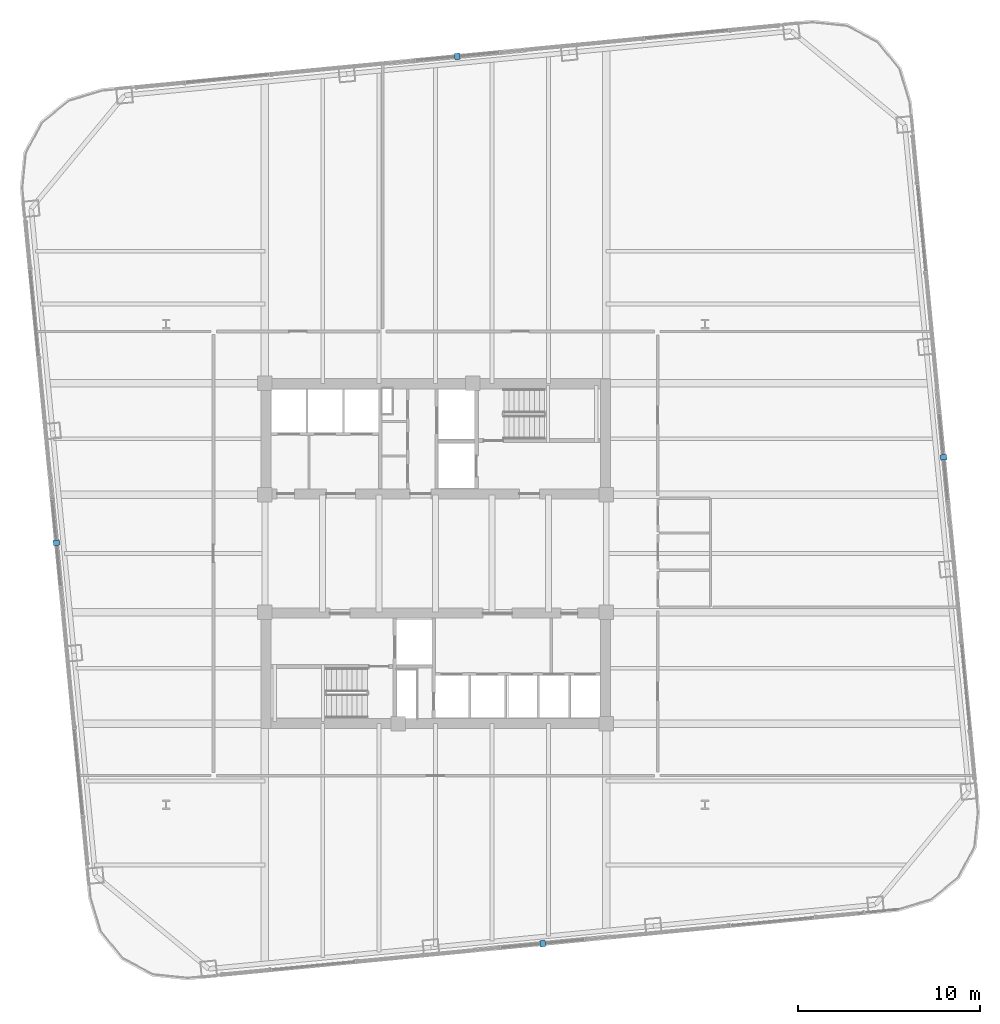
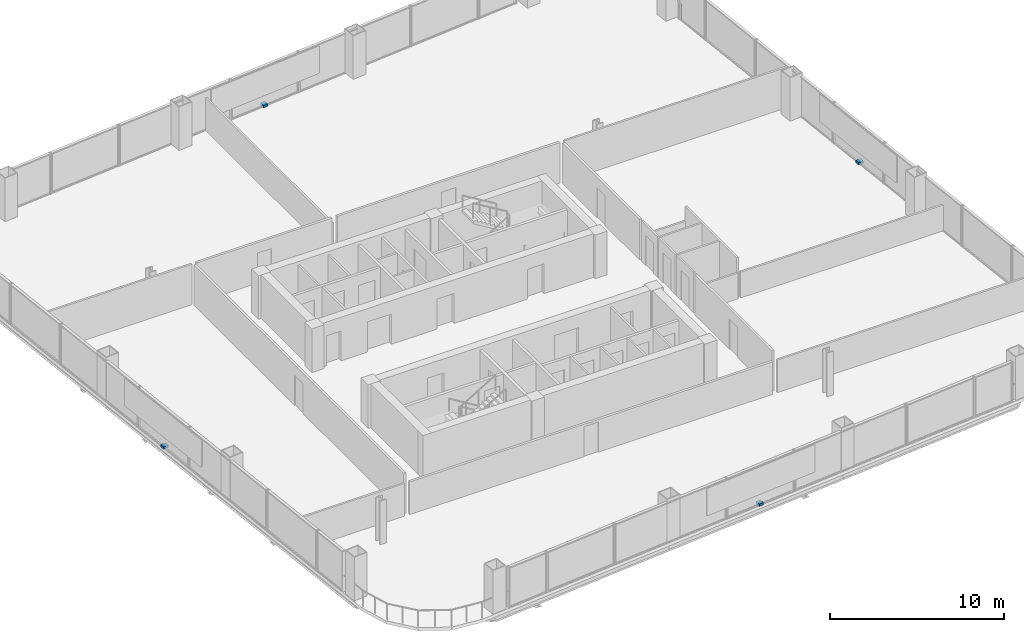
# One storey, part 24 of 27: 4 discrete accessories.
"""IFC4 building model written with IfcOpenShell, lengths in metres."""

from ifc_helpers import new_model, si_unit, direction, frame, origin, origin_2d, place, context, subcontext, project, spatial, rectangle, extrude, material, type_object, element, save


model = new_model("IFC4")

# Units and contexts
model_context = context("Model", 3, precision=1e-05, world=origin(), true_north=direction((0.0, 1.0)))
body_context = subcontext(model_context, "Body", "Model", "MODEL_VIEW")
ifc_project = project(units=[si_unit("LENGTHUNIT", "METRE"), si_unit("AREAUNIT", "SQUARE_METRE"), si_unit("VOLUMEUNIT", "CUBIC_METRE"), si_unit("PLANEANGLEUNIT", "RADIAN"), si_unit("MASSUNIT", "GRAM", prefix="KILO")], contexts=[model_context])

# Site, building, storey
site_placement = place(None, origin())
site = spatial("IfcSite", under=ifc_project, at=site_placement, CompositionType="ELEMENT")
building_placement = place(site_placement, origin())
building = spatial("IfcBuilding", under=site, at=building_placement, Name="Qhalaya Broadcast Tower", CompositionType="ELEMENT")
storey_placement = place(building_placement, frame((0.0, 0.0, 75.550048828125)))
storey = spatial("IfcBuildingStorey", under=building, at=storey_placement, Name="L21", CompositionType="ELEMENT", Elevation=75.550048828125)

# Discrete accessories
ifc_material = material(Name="Structural Steel ASTM A572 Grade 50", Category="steel")
discrete_accessory_type = type_object("IfcDiscreteAccessoryType", Name="Facade Baguette Support Bracket BRK-01", PredefinedType="BRACKET", material=ifc_material)
for number, where, z_axis, x_axis, name in (
    (1, (5.88623046875, -20.827392578125, 0.0), (0.0, 0.0, 1.0), (0.995396198367, 0.09584575252, 0.0), "L21 Baguette Support Bracket S"),
    (2, (27.9072265625, 5.88623046875, 0.0), (0.0, 0.0, 1.0), (-0.09584575252, 0.995396198367, 0.0), "L21 Baguette Support Bracket E"),
    (3, (1.193603515625, 27.9072265625, 0.0), (0.0, 0.0, 1.0), (-0.995396198367, -0.09584575252, 0.0), "L21 Baguette Support Bracket N"),
    (4, (-20.827392578125, 1.193603515625, 0.0), (0.0, 0.0, 1.0), (0.09584575252, -0.995396198367, 0.0), "L21 Baguette Support Bracket W"),
):
    element("IfcDiscreteAccessory", number, at=place(storey_placement, frame(where, z_axis=z_axis, x_axis=x_axis)), inside=storey, type_object=discrete_accessory_type, Name=name, PredefinedType="BRACKET", context=body_context, shape_type="SweptSolid", body=[
        extrude(rectangle(XDim=0.300048828125, YDim=0.340087890625, at=origin_2d()), origin(), (0.0, 0.0, 1.0), 0.159912109375),
    ])

save(model, "model.ifc")
